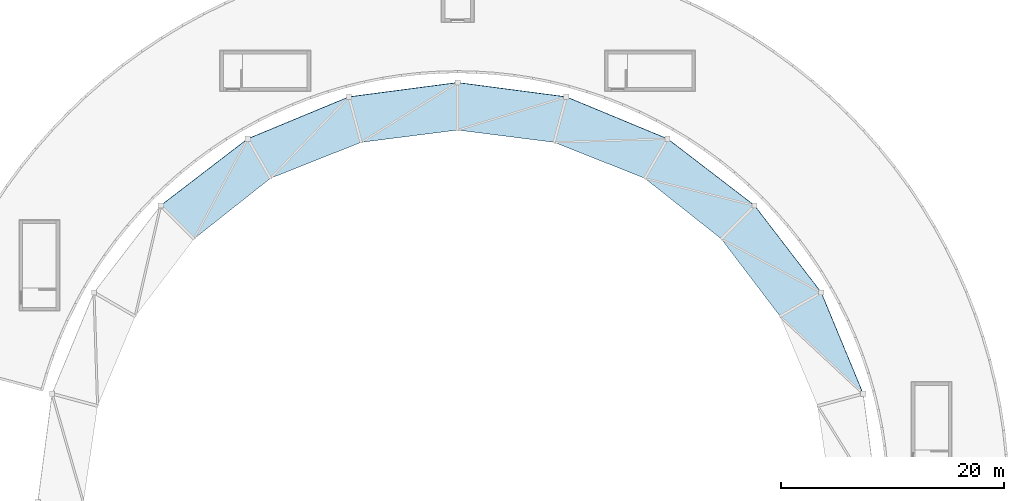
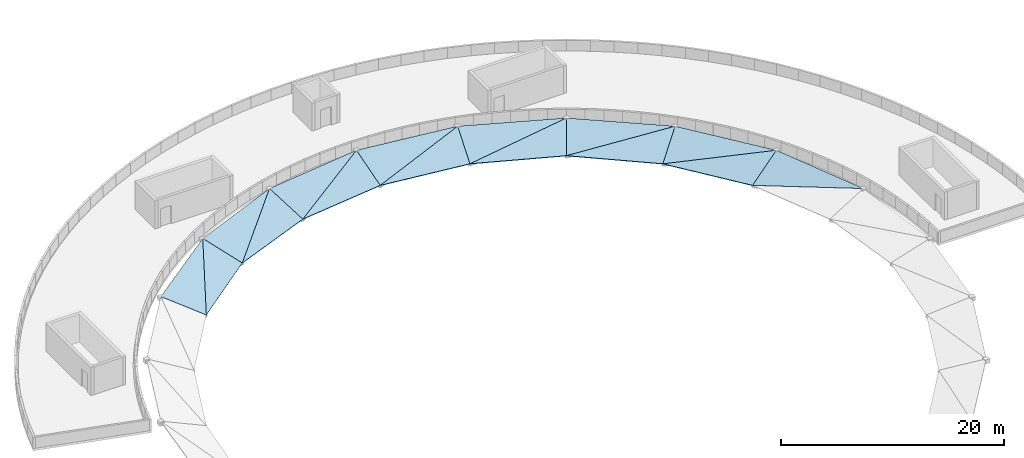
# One storey, part 40 of 50: 15 roofs.
"""IFC4 building model written with IfcOpenShell, lengths in metres."""

from ifc_helpers import new_model, si_unit, direction, frame, origin, place, context, subcontext, project, spatial, polyline, outline, extrude, material, layer, layer_set, type_object, element, save


model = new_model("IFC4")

# Units and contexts
model_context = context("Model", 3, precision=1e-05, world=origin(), true_north=direction((0.0, 1.0)))
body_context = subcontext(model_context, "Body", "Model", "MODEL_VIEW")
ifc_project = project(units=[si_unit("LENGTHUNIT", "METRE"), si_unit("AREAUNIT", "SQUARE_METRE"), si_unit("VOLUMEUNIT", "CUBIC_METRE"), si_unit("PLANEANGLEUNIT", "RADIAN"), si_unit("MASSUNIT", "GRAM", prefix="KILO")], contexts=[model_context])

# Site, building, storey
site_placement = place(None, origin())
site = spatial("IfcSite", under=ifc_project, at=site_placement, CompositionType="ELEMENT")
building_placement = place(site_placement, origin())
building = spatial("IfcBuilding", under=site, at=building_placement, Name="Almandine Court Research Institute", CompositionType="ELEMENT")
storey_placement = place(building_placement, frame((0.0, 0.0, 23.449951171875)))
storey = spatial("IfcBuildingStorey", under=building, at=storey_placement, Name="L05", CompositionType="ELEMENT", Elevation=23.449951171875)

# Roofs
ifc_material = material(Name="Insulated Laminated Low-E Glass Roof Panel", Category="glass")
ifc_layer = layer(ifc_material, 0.080078125)
ifc_layer_set = layer_set([ifc_layer], Name="Insulated Laminated Low-E Glass Roof Panel")
roof_type = type_object("IfcRoofType", Name="Roof-GS-Facet", PredefinedType="PAVILION_ROOF", material=ifc_layer_set)
roof_1_placement = place(storey_placement, frame((123.366943359375, 65.7451171875, 0.860107421875), z_axis=(-0.263244192912, -0.109039197435, 0.958547311467), x_axis=(-0.382683080424, 0.92387967829, 0.0)))
element("IfcRoof", 1, at=roof_1_placement, inside=storey, type_object=roof_type, Name="Atrium Conical Gridshell Roof Facet R0-S01-1", PredefinedType="PAVILION_ROOF", context=body_context, shape_type="SweptSolid", body=[
    extrude(outline(polyline([(0.0, 0.0), (9.827939933890235, 0.0), (9.270825250686883, 4.411838017456672), (0.0, 0.0)])), origin(), (0.0, 0.0, -1.0), 0.080078125),
])
roof_2_placement = place(storey_placement, frame((119.60595703125, 74.824951171875, 0.860107421875), z_axis=(-0.227947535149, -0.174887520627, 0.957838335184), x_axis=(-0.608711534396, 0.793391623282, 0.0)))
element("IfcRoof", 2, at=roof_2_placement, inside=storey, type_object=roof_type, Name="Atrium Conical Gridshell Roof Facet R0-S02-1", PredefinedType="PAVILION_ROOF", context=body_context, shape_type="SweptSolid", body=[
    extrude(outline(polyline([(0.0, 0.0), (9.828810229771252, -8.881784197001252e-16), (9.276798919168753, 4.375378760415721), (0.0, 0.0)])), origin(), (0.0, 0.0, -1.0), 0.080078125),
])
roof_3_placement = place(storey_placement, frame((119.60595703125, 74.824951171875, 0.860107421875), z_axis=(-0.226696675813, -0.172356442215, 0.958593695996), x_axis=(-0.874725212578, 0.468865472186, -0.122560072915)))
element("IfcRoof", 3, at=roof_3_placement, inside=storey, type_object=roof_type, Name="Atrium Conical Gridshell Roof Facet R0-S02-2", PredefinedType="PAVILION_ROOF", context=body_context, shape_type="SweptSolid", body=[
    extrude(outline(polyline([(0.0, 0.0), (10.25684832118461, -2.7755575615628914e-16), (2.3850528933724435, 3.75316055589586), (0.0, 0.0)])), origin(), (0.0, 0.0, -1.0), 0.080078125),
])
roof_4_placement = place(storey_placement, frame((113.623046875, 82.623046875, 0.860107421875), z_axis=(-0.180126224865, -0.234775636514, 0.955214606052), x_axis=(-0.793391623282, 0.608711534396, 0.0)))
element("IfcRoof", 4, at=roof_4_placement, inside=storey, type_object=roof_type, Name="Atrium Conical Gridshell Roof Facet R0-S03-1", PredefinedType="PAVILION_ROOF", context=body_context, shape_type="SweptSolid", body=[
    extrude(outline(polyline([(0.0, 0.0), (9.828810229771252, 8.881784197001252e-16), (9.294174078323886, 4.248127355059259), (0.0, 0.0)])), origin(), (0.0, 0.0, -1.0), 0.080078125),
])
roof_5_placement = place(storey_placement, frame((113.623046875, 82.623046875, 0.860107421875), z_axis=(-0.178027166355, -0.224870519452, 0.957987253319), x_axis=(-0.963301707654, 0.238573717235, -0.123013826361)))
element("IfcRoof", 5, at=roof_5_placement, inside=storey, type_object=roof_type, Name="Atrium Conical Gridshell Roof Facet R0-S03-2", PredefinedType="PAVILION_ROOF", context=body_context, shape_type="SweptSolid", body=[
    extrude(outline(polyline([(0.0, 0.0), (10.219014523083448, -1.6653345369377348e-16), (2.320860102204918, 3.7499685558846325), (0.0, 0.0)])), origin(), (0.0, 0.0, -1.0), 0.080078125),
])
roof_6_placement = place(storey_placement, frame((105.824951171875, 88.60595703125, 0.860107421875), z_axis=(-0.10996834408, -0.265487353761, 0.957822232094), x_axis=(-0.92387967829, 0.382683080424, 0.0)))
element("IfcRoof", 6, at=roof_6_placement, inside=storey, type_object=roof_type, Name="Atrium Conical Gridshell Roof Facet R0-S04-1", PredefinedType="PAVILION_ROOF", context=body_context, shape_type="SweptSolid", body=[
    extrude(outline(polyline([(0.0, 0.0), (9.827939933890235, 0.0), (9.276760152006183, 4.374561430931165), (0.0, 0.0)])), origin(), (0.0, 0.0, -1.0), 0.080078125),
])
roof_7_placement = place(storey_placement, frame((105.824951171875, 88.60595703125, 0.860107421875), z_axis=(-0.10930605043, -0.27558700015, 0.955041356533), x_axis=(-0.991966787417, -0.03130171395, -0.122564657894)))
element("IfcRoof", 7, at=roof_7_placement, inside=storey, type_object=roof_type, Name="Atrium Conical Gridshell Roof Facet R0-S04-2", PredefinedType="PAVILION_ROOF", context=body_context, shape_type="SweptSolid", body=[
    extrude(outline(polyline([(0.0, 0.0), (10.256464626314484, -5.551115123125783e-17), (2.294499020657354, 3.6149268434422925), (0.0, 0.0)])), origin(), (0.0, 0.0, -1.0), 0.080078125),
])
roof_8_placement = place(storey_placement, frame((96.7451171875, 92.366943359375, 0.860107421875), z_axis=(-0.037195425228, -0.282529513491, 0.958537205511), x_axis=(-0.991444993461, 0.130525188913, 0.0)))
element("IfcRoof", 8, at=roof_8_placement, inside=storey, type_object=roof_type, Name="Atrium Conical Gridshell Roof Facet R0-S05-1", PredefinedType="PAVILION_ROOF", context=body_context, shape_type="SweptSolid", body=[
    extrude(outline(polyline([(0.0, 0.0), (9.829206110042483, 2.220446049250313e-16), (9.272530200590413, 4.411311704878741), (0.0, 0.0)])), origin(), (0.0, 0.0, -1.0), 0.080078125),
])
roof_9_placement = place(storey_placement, frame((96.7451171875, 92.366943359375, 0.860107421875), z_axis=(-0.036271261234, -0.28522766768, 0.957773236835), x_axis=(-0.949041979591, -0.290399808065, -0.122422516107)))
element("IfcRoof", 9, at=roof_9_placement, inside=storey, type_object=roof_type, Name="Atrium Conical Gridshell Roof Facet R0-S05-2", PredefinedType="PAVILION_ROOF", context=body_context, shape_type="SweptSolid", body=[
    extrude(outline(polyline([(0.0, 0.0), (10.268373156370071, 1.1102230246251565e-16), (2.377794062208791, 3.7130421843379176), (0.0, 0.0)])), origin(), (0.0, 0.0, -1.0), 0.080078125),
])
roof_10_placement = place(storey_placement, frame((87.0, 93.64990234375, 0.860107421875), z_axis=(0.037508862072, -0.284910321305, 0.957820021758), x_axis=(-0.991444993461, -0.130525188913, 0.0)))
element("IfcRoof", 10, at=roof_10_placement, inside=storey, type_object=roof_type, Name="Atrium Conical Gridshell Roof Facet R0-S06-1", PredefinedType="PAVILION_ROOF", context=body_context, shape_type="SweptSolid", body=[
    extrude(outline(polyline([(0.0, 0.0), (9.829206110042483, -2.220446049250313e-16), (9.277136944497292, 4.374449279783972), (0.0, 0.0)])), origin(), (0.0, 0.0, -1.0), 0.080078125),
])
roof_11_placement = place(storey_placement, frame((87.0, 93.64990234375, 0.860107421875), z_axis=(0.03592981257, -0.282542605103, 0.958581621392), x_axis=(-0.843432129995, -0.523068833793, -0.122561157006)))
element("IfcRoof", 11, at=roof_11_placement, inside=storey, type_object=roof_type, Name="Atrium Conical Gridshell Roof Facet R0-S06-2", PredefinedType="PAVILION_ROOF", context=body_context, shape_type="SweptSolid", body=[
    extrude(outline(polyline([(0.0, 0.0), (10.25675759625619, -1.0547118733938987e-15), (2.384901575917756, 3.7525729172062023), (0.0, 0.0)])), origin(), (0.0, 0.0, -1.0), 0.080078125),
])
roof_12_placement = place(storey_placement, frame((77.2548828125, 92.366943359375, 0.860107421875), z_axis=(0.113237724239, -0.273380344185, 0.955217464885), x_axis=(-0.92387967829, -0.382683080424, 0.0)))
element("IfcRoof", 12, at=roof_12_placement, inside=storey, type_object=roof_type, Name="Atrium Conical Gridshell Roof Facet R0-S07-1", PredefinedType="PAVILION_ROOF", context=body_context, shape_type="SweptSolid", body=[
    extrude(outline(polyline([(0.0, 0.0), (9.827939933890235, 0.0), (9.294357566627005, 4.248259843345624), (0.0, 0.0)])), origin(), (0.0, 0.0, -1.0), 0.080078125),
])
roof_13_placement = place(storey_placement, frame((77.2548828125, 92.366943359375, 0.860107421875), z_axis=(0.105765159336, -0.266659556969, 0.95796994303), x_axis=(-0.688303432388, -0.714917226553, -0.123011154537)))
element("IfcRoof", 13, at=roof_13_placement, inside=storey, type_object=roof_type, Name="Atrium Conical Gridshell Roof Facet R0-S07-2", PredefinedType="PAVILION_ROOF", context=body_context, shape_type="SweptSolid", body=[
    extrude(outline(polyline([(0.0, 0.0), (10.21923648189529, -4.996003610813204e-16), (2.319781366873107, 3.7495601441844637), (0.0, 0.0)])), origin(), (0.0, 0.0, -1.0), 0.080078125),
])
roof_14_placement = place(storey_placement, frame((68.175048828125, 88.60595703125, 0.860107421875), z_axis=(0.174887520627, -0.227947535149, 0.957838335184), x_axis=(-0.793391623282, -0.608711534396, 0.0)))
element("IfcRoof", 14, at=roof_14_placement, inside=storey, type_object=roof_type, Name="Atrium Conical Gridshell Roof Facet R0-S08-1", PredefinedType="PAVILION_ROOF", context=body_context, shape_type="SweptSolid", body=[
    extrude(outline(polyline([(0.0, 0.0), (9.828810229771252, -8.881784197001252e-16), (9.276798919168753, 4.375378760415721), (0.0, 0.0)])), origin(), (0.0, 0.0, -1.0), 0.080078125),
])
roof_15_placement = place(storey_placement, frame((68.175048828125, 88.60595703125, 0.860107421875), z_axis=(0.184033644054, -0.232457450077, 0.955036727964), x_axis=(-0.468865472186, -0.874725212578, -0.122560072915)))
element("IfcRoof", 15, at=roof_15_placement, inside=storey, type_object=roof_type, Name="Atrium Conical Gridshell Roof Facet R0-S08-2", PredefinedType="PAVILION_ROOF", context=body_context, shape_type="SweptSolid", body=[
    extrude(outline(polyline([(0.0, 0.0), (10.25684832118461, -1.1102230246251565e-16), (2.2956492297733093, 3.6141965155589455), (0.0, 0.0)])), origin(), (0.0, 0.0, -1.0), 0.080078125),
])

save(model, "model.ifc")
